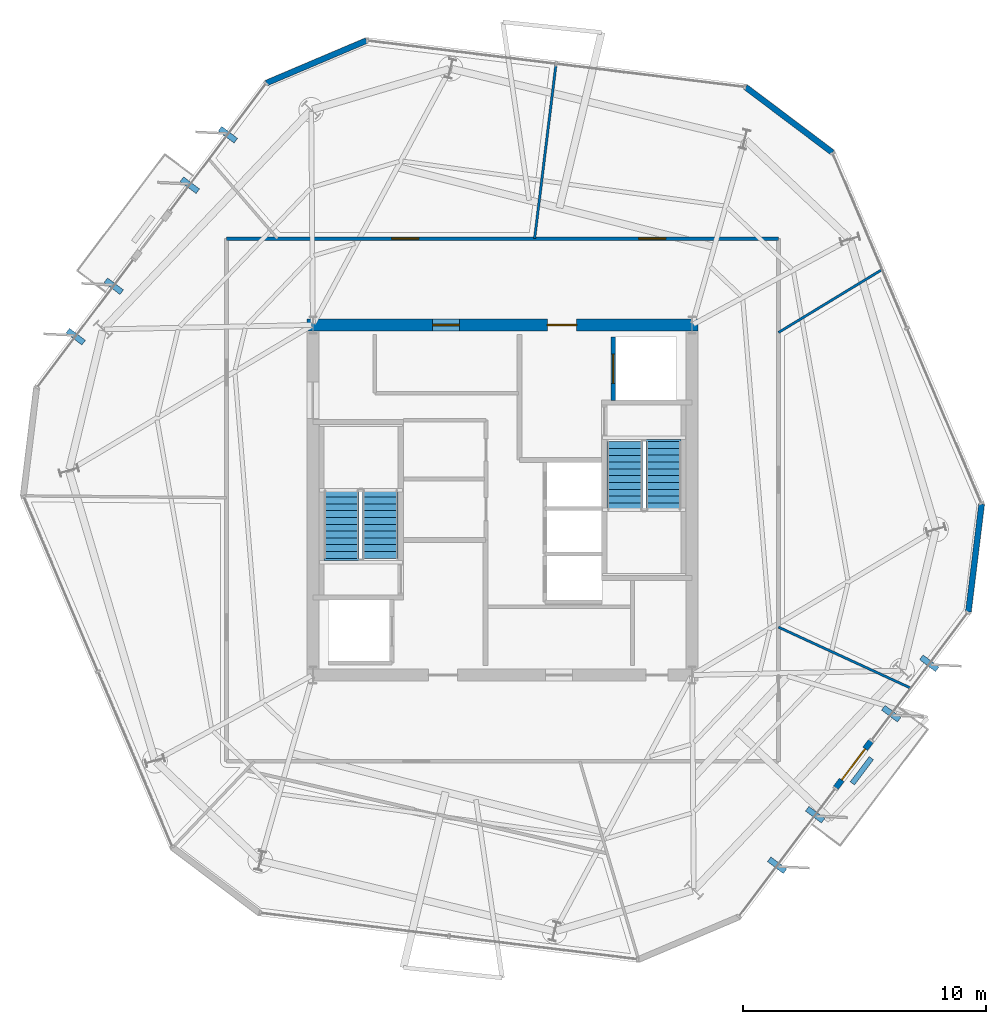
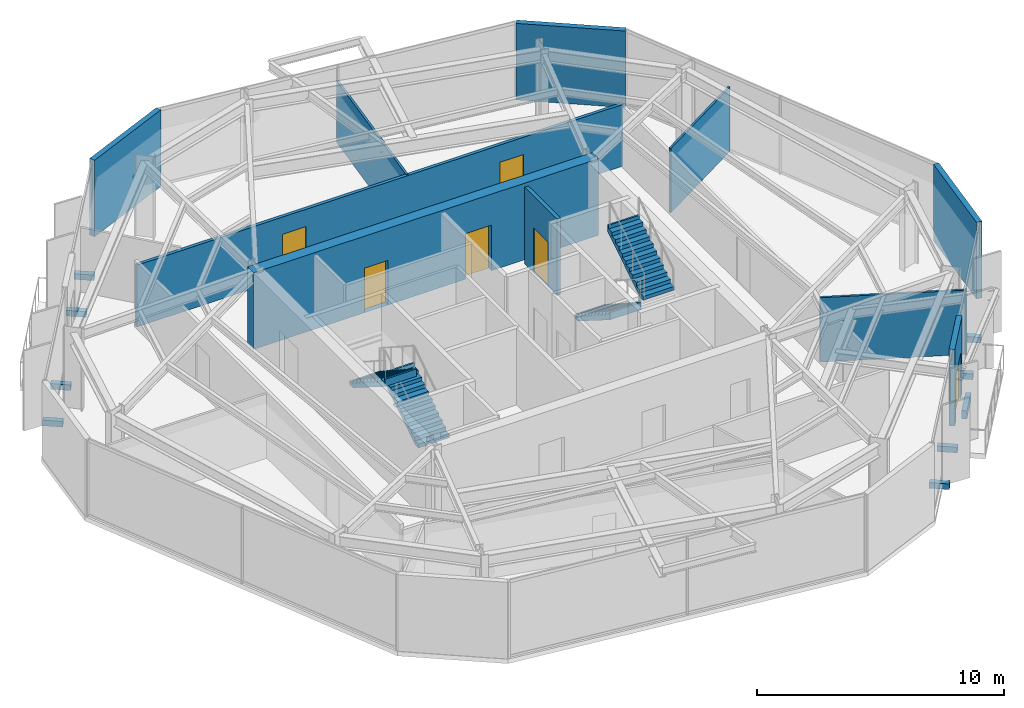
# One storey, part 9 of 12: 11 walls, 8 discrete accessories, 6 doors, 4 stair flights, 6 openings, 2 elements without a shape of their own.
"""IFC4 building model written with IfcOpenShell, lengths in metres."""

from ifc_helpers import new_model, si_unit, direction, frame, frame_2d, origin, origin_2d, place, context, subcontext, project, spatial, polyline, rectangle, outline, extrude, material, layer, layer_set, type_object, element, fill, aggregate, save


model = new_model("IFC4")

# Units and contexts
model_context = context("Model", 3, precision=1e-05, world=origin(), true_north=direction((0.0, 1.0)))
body_context = subcontext(model_context, "Body", "Model", "MODEL_VIEW")
ifc_project = project(units=[si_unit("LENGTHUNIT", "METRE"), si_unit("AREAUNIT", "SQUARE_METRE"), si_unit("VOLUMEUNIT", "CUBIC_METRE"), si_unit("PLANEANGLEUNIT", "RADIAN"), si_unit("MASSUNIT", "GRAM", prefix="KILO")], contexts=[model_context])

# Site, building, storey
site_placement = place(None, origin())
site = spatial("IfcSite", under=ifc_project, at=site_placement, CompositionType="ELEMENT")
building_placement = place(site_placement, origin())
building = spatial("IfcBuilding", under=site, at=building_placement, Name="Kranzbogen Civic Tower", CompositionType="ELEMENT")
storey_placement = place(building_placement, frame((0.0, 0.0, 236.800048828125)))
storey = spatial("IfcBuildingStorey", under=building, at=storey_placement, Name="L57", CompositionType="ELEMENT", Elevation=236.800048828125)

# Wall, openings, doors
ifc_material_1 = material(Name="Double-Stud Acoustic Gypsum Partition")
ifc_layer_1 = layer(ifc_material_1, 0.14990234375, Name="Double-Stud Acoustic Gypsum Partition")
ifc_layer_set_1 = layer_set([ifc_layer_1], Name="Double-Stud Acoustic Gypsum Partition")
wall_type_1 = type_object("IfcWallType", Name="Acoustic Corridor and Clinical Partition 150 mm", PredefinedType="PARTITIONING", material=ifc_layer_set_1)
wall_1_placement = place(storey_placement, frame((13.64990234375, 35.75, 0.0), z_axis=(0.0, 0.0, 1.0), x_axis=(1.0, 0.0, 0.0)))
wall_1 = element("IfcWall", 1, at=wall_1_placement, inside=storey, type_object=wall_type_1, Name="L57 corridor partition 01", PredefinedType="PARTITIONING", context=body_context, shape_type="SweptSolid", body=[
    extrude(rectangle(XDim=22.7001953125, YDim=0.14990234375, at=frame_2d((11.35009765625, 0.0))), origin(), (0.0, 0.0, 1.0), 3.050048828125),
])
opening_1_placement = place(wall_1_placement, frame((16.9560546875, 0.0, 0.0)))
opening_1 = element("IfcOpeningElement", 2, at=opening_1_placement, cuts=wall_1, Name="Opening D-COR60", PredefinedType="OPENING", context=body_context, shape_type="SweptSolid", body=[
    extrude(rectangle(XDim=1.10009765625, YDim=2.199951171875, at=frame_2d((0.550048828125, 1.10009765625))), frame((0.0, 0.0849609375, 0.0), z_axis=(0.0, -1.0, 0.0), x_axis=(1.0, 0.0, 0.0)), (0.0, 0.0, 1.0), 0.169921875),
])
opening_2_placement = place(wall_1_placement, frame((6.7958984375, 0.0, 0.0)))
opening_2 = element("IfcOpeningElement", 3, at=opening_2_placement, cuts=wall_1, Name="Opening D-COR60", PredefinedType="OPENING", context=body_context, shape_type="SweptSolid", body=[
    extrude(rectangle(XDim=1.10009765625, YDim=2.199951171875, at=frame_2d((0.550048828125, 1.10009765625))), frame((0.0, 0.0849609375, 0.0), z_axis=(0.0, -1.0, 0.0), x_axis=(1.0, 0.0, 0.0)), (0.0, 0.0, 1.0), 0.169921875),
])
ifc_material_2 = material(Name="Oak Timber and Fire Core", Category="wood")
door_type_1 = type_object("IfcDoorType", Name="Corridor Acoustic Fire Door 1100x2200", OperationType="NOTDEFINED", PredefinedType="DOOR", material=ifc_material_2)
door_1_placement = place(opening_1_placement, origin())
door_1 = element("IfcDoor", 4, at=door_1_placement, inside=storey, type_object=door_type_1, Name="L57 Duty Crew Control Room door", OperationType="SINGLE_SWING_RIGHT", OverallHeight=2.199951171875, OverallWidth=1.10009765625, PredefinedType="DOOR", context=body_context, shape_type="SweptSolid", body=[
    extrude(rectangle(XDim=1.10009765625, YDim=2.199951171875, at=frame_2d((0.550048828125, 1.10009765625))), frame((0.0, 0.02490234375, 0.0), z_axis=(0.0, -1.0, 0.0), x_axis=(1.0, 0.0, 0.0)), (0.0, 0.0, 1.0), 0.050048828125),
])
fill(opening_1, door_1)
door_2_placement = place(opening_2_placement, origin())
door_2 = element("IfcDoor", 5, at=door_2_placement, inside=storey, type_object=door_type_1, Name="L57 Staff Tea Pantry door", OperationType="SINGLE_SWING_LEFT", OverallHeight=2.199951171875, OverallWidth=1.10009765625, PredefinedType="DOOR", context=body_context, shape_type="SweptSolid", body=[
    extrude(rectangle(XDim=1.10009765625, YDim=2.199951171875, at=frame_2d((0.550048828125, 1.10009765625))), frame((0.0, 0.02490234375, 0.0), z_axis=(0.0, -1.0, 0.0), x_axis=(1.0, 0.0, 0.0)), (0.0, 0.0, 1.0), 0.050048828125),
])
fill(opening_2, door_2)

# Wall
ifc_material_3 = material(Name="Architectural Precast Terracotta Concrete C40/50", Category="masonry")
ifc_layer_2 = layer(ifc_material_3, 0.219970703125, Name="Architectural Precast Terracotta Concrete C40/50")
ifc_layer_set_2 = layer_set([ifc_layer_2], Name="Architectural Precast Terracotta Concrete C40/50")
wall_type_2 = type_object("IfcWallType", Name="Architectural Tree Planter Kerb Wall 220 mm", PredefinedType="USERDEFINED", material=ifc_layer_set_2)
wall_2_placement = place(storey_placement, frame((39.387939453125, 13.344970703125, 0.0), z_axis=(0.0, 0.0, 1.0), x_axis=(0.601681803176, 0.798735881081, 0.0)))
element("IfcWall", 6, at=wall_2_placement, inside=storey, type_object=wall_type_2, Name="L57 landscaped tree balcony planter L57-TB2", ObjectType="PLANTER_WALL", PredefinedType="USERDEFINED", context=body_context, shape_type="SweptSolid", body=[
    extrude(rectangle(XDim=1.299560546875, YDim=0.219970703125, at=frame_2d((0.64990234375, 0.0))), origin(), (0.0, 0.0, 1.0), 0.39990234375),
])

# Wall, openings, doors
ifc_material_4 = material(Name="Concrete C45/55", Category="concrete")
ifc_layer_3 = layer(ifc_material_4, 0.5, Name="Concrete C45/55")
ifc_layer_set_3 = layer_set([ifc_layer_3], Name="Concrete C45/55")
wall_type_3 = type_object("IfcWallType", Name="Central Core Shear Wall 500 mm", PredefinedType="SHEAR", material=ifc_layer_set_3)
wall_3_placement = place(storey_placement, frame((33.050048828125, 32.199951171875, 0.0), z_axis=(0.0, 0.0, 1.0), x_axis=(-1.0, 0.0, 0.0)))
wall_3 = element("IfcWall", 7, at=wall_3_placement, inside=storey, type_object=wall_type_3, Name="L57 central core North shear wall", PredefinedType="SHEAR", context=body_context, shape_type="SweptSolid", body=[
    extrude(rectangle(XDim=16.10009765625, YDim=0.5, at=frame_2d((8.050048828125, 0.0))), origin(), (0.0, 0.0, 1.0), 3.780029296875),
])
opening_3_placement = place(wall_3_placement, frame((5.0, 0.0, 0.0)))
opening_3 = element("IfcOpeningElement", 8, at=opening_3_placement, cuts=wall_3, Name="Opening D-EX120", PredefinedType="OPENING", context=body_context, shape_type="SweptSolid", body=[
    extrude(rectangle(XDim=1.199951171875, YDim=2.25, at=frame_2d((0.60009765625, 1.125))), frame((0.0, 0.260009765625, 0.0), z_axis=(0.0, -1.0, 0.0), x_axis=(1.0, 0.0, 0.0)), (0.0, 0.0, 1.0), 0.52001953125),
])
opening_4_placement = place(wall_3_placement, frame((9.824951171875, 0.0, 0.0)))
opening_4 = element("IfcOpeningElement", 9, at=opening_4_placement, cuts=wall_3, Name="Opening D-COR60", PredefinedType="OPENING", context=body_context, shape_type="SweptSolid", body=[
    extrude(rectangle(XDim=1.10009765625, YDim=2.199951171875, at=frame_2d((0.550048828125, 1.10009765625))), frame((0.0, 0.260009765625, 0.0), z_axis=(0.0, -1.0, 0.0), x_axis=(1.0, 0.0, 0.0)), (0.0, 0.0, 1.0), 0.52001953125),
])
door_3_placement = place(opening_4_placement, origin())
door_3 = element("IfcDoor", 10, at=door_3_placement, inside=storey, type_object=door_type_1, Name="L57 DAT1 comms room door", OperationType="SINGLE_SWING_RIGHT", OverallHeight=2.199951171875, OverallWidth=1.10009765625, PredefinedType="DOOR", context=body_context, shape_type="SweptSolid", body=[
    extrude(rectangle(XDim=1.10009765625, YDim=2.199951171875, at=frame_2d((0.550048828125, 1.10009765625))), frame((0.0, 0.02490234375, 0.0), z_axis=(0.0, -1.0, 0.0), x_axis=(1.0, 0.0, 0.0)), (0.0, 0.0, 1.0), 0.050048828125),
])
fill(opening_4, door_3)
ifc_material_5 = material(Name="Steel S355", Category="steel")
door_type_2 = type_object("IfcDoorType", Name="Exit Passageway Fire Door 1200x2250", OperationType="NOTDEFINED", PredefinedType="DOOR", material=ifc_material_5)
door_4_placement = place(opening_3_placement, origin())
door_4 = element("IfcDoor", 11, at=door_4_placement, inside=storey, type_object=door_type_2, Name="L57 East firefighting lobby corridor door", OperationType="SINGLE_SWING_LEFT", OverallHeight=2.25, OverallWidth=1.199951171875, PredefinedType="DOOR", context=body_context, shape_type="SweptSolid", body=[
    extrude(rectangle(XDim=1.199951171875, YDim=2.25, at=frame_2d((0.60009765625, 1.125))), frame((0.0, 0.02490234375, 0.0), z_axis=(0.0, -1.0, 0.0), x_axis=(1.0, 0.0, 0.0)), (0.0, 0.0, 1.0), 0.050048828125),
])
fill(opening_3, door_4)

# Walls
ifc_material_6 = material(Name="Demountable Aluminium and Gypsum Partition", Category="aluminium")
ifc_layer_4 = layer(ifc_material_6, 0.10009765625, Name="Demountable Aluminium and Gypsum Partition")
ifc_layer_set_4 = layer_set([ifc_layer_4], Name="Demountable Aluminium and Gypsum Partition")
wall_type_4 = type_object("IfcWallType", Name="Demountable Office Partition 100 mm", PredefinedType="MOVABLE", material=ifc_layer_set_4)
wall_4_placement = place(storey_placement, frame((26.320068359375, 35.75, 0.0), z_axis=(0.0, 0.0, 1.0), x_axis=(0.121804850919, 0.992554068196, 0.0)))
element("IfcWall", 12, at=wall_4_placement, inside=storey, type_object=wall_type_4, Name="L57 radial room partition 01", PredefinedType="MOVABLE", context=body_context, shape_type="SweptSolid", body=[
    extrude(rectangle(XDim=7.2236328125, YDim=0.10009765625, at=frame_2d((3.61181640625, 0.0))), origin(), (0.0, 0.0, 1.0), 3.050048828125),
])
wall_5_placement = place(storey_placement, frame((36.35009765625, 19.77001953125, 0.0), z_axis=(0.0, 0.0, 1.0), x_axis=(0.90822453429, -0.418483207923, 0.0)))
element("IfcWall", 13, at=wall_5_placement, inside=storey, type_object=wall_type_4, Name="L57 radial room partition 06", PredefinedType="MOVABLE", context=body_context, shape_type="SweptSolid", body=[
    extrude(rectangle(XDim=5.978515625, YDim=0.10009765625, at=frame_2d((2.9892578125, 0.0))), origin(), (0.0, 0.0, 1.0), 3.179931640625),
])
wall_6_placement = place(storey_placement, frame((36.35009765625, 31.888916015625, 0.0), z_axis=(0.0, 0.0, 1.0), x_axis=(0.854761817099, 0.5190204582, 0.0)))
element("IfcWall", 14, at=wall_6_placement, inside=storey, type_object=wall_type_4, Name="L57 radial room partition 07", PredefinedType="MOVABLE", context=body_context, shape_type="SweptSolid", body=[
    extrude(rectangle(XDim=4.96728515625, YDim=0.10009765625, at=frame_2d((2.483642578125, 0.0))), origin(), (0.0, 0.0, 1.0), 3.179931640625),
])

# Wall, opening, door
ifc_material_7 = material(Name="Gypsum Fireboard Shaftliner")
ifc_layer_5 = layer(ifc_material_7, 0.175048828125, Name="Gypsum Fireboard Shaftliner")
ifc_layer_set_5 = layer_set([ifc_layer_5], Name="Gypsum Fireboard Shaftliner")
wall_type_5 = type_object("IfcWallType", Name="Fire-Rated Lift and Service Shaft Wall 175 mm", PredefinedType="PARTITIONING", material=ifc_layer_set_5)
wall_7_placement = place(storey_placement, frame((29.550048828125, 29.10009765625, 0.0), z_axis=(0.0, 0.0, 1.0), x_axis=(0.0, 1.0, 0.0)))
wall_7 = element("IfcWall", 15, at=wall_7_placement, inside=storey, type_object=wall_type_5, Name="L57 lift FF-02 landing wall", PredefinedType="PARTITIONING", context=body_context, shape_type="SweptSolid", body=[
    extrude(rectangle(XDim=2.599853515625, YDim=0.175048828125, at=frame_2d((1.2998046875, 0.0))), origin(), (0.0, 0.0, 1.0), 3.780029296875),
])
opening_5_placement = place(wall_7_placement, frame((0.699951171875, 0.0, 0.0)))
opening_5 = element("IfcOpeningElement", 16, at=opening_5_placement, cuts=wall_7, Name="Opening LD-FF-02", PredefinedType="OPENING", context=body_context, shape_type="SweptSolid", body=[
    extrude(rectangle(XDim=1.199951171875, YDim=2.199951171875, at=frame_2d((0.60009765625, 1.10009765625))), frame((0.0, 0.09765625, 0.0), z_axis=(0.0, -1.0, 0.0), x_axis=(1.0, 0.0, 0.0)), (0.0, 0.0, 1.0), 0.195068359375),
])
ifc_material_8 = material(Name="Pale Anodised Aluminium", Category="aluminium")
door_type_3 = type_object("IfcDoorType", Name="Firefighting and Stretcher Lift Sliding Landing Door 1200x2200", OperationType="DOUBLE_DOOR_SLIDING", PredefinedType="DOOR", material=ifc_material_8)
door_5_placement = place(opening_5_placement, origin())
door_5 = element("IfcDoor", 17, at=door_5_placement, inside=storey, type_object=door_type_3, Name="L57 lift FF-02 sliding landing door", OperationType="DOUBLE_DOOR_SLIDING", OverallHeight=2.199951171875, OverallWidth=1.199951171875, PredefinedType="DOOR", context=body_context, shape_type="SweptSolid", body=[
    extrude(rectangle(XDim=1.199951171875, YDim=2.199951171875, at=frame_2d((0.60009765625, 1.10009765625))), frame((0.0, 0.02490234375, 0.0), z_axis=(0.0, -1.0, 0.0), x_axis=(1.0, 0.0, 0.0)), (0.0, 0.0, 1.0), 0.050048828125),
])
fill(opening_5, door_5)

# Wall
ifc_layer_6 = layer(ifc_material_8, 0.239990234375, Name="Pale Anodised Aluminium")
ifc_layer_set_6 = layer_set([ifc_layer_6], Name="Pale Anodised Aluminium")
wall_type_6 = type_object("IfcWallType", Name="Insulated Aluminium Facade Portal Wall 240 mm", PredefinedType="STANDARD", material=ifc_layer_set_6)
wall_8_placement = place(storey_placement, frame((19.406982421875, 43.89404296875, 0.0), z_axis=(0.0, 0.0, 1.0), x_axis=(-0.92048770115, -0.390771534316, 0.0)))
element("IfcWall", 18, at=wall_8_placement, inside=storey, type_object=wall_type_6, Name="L57 chamfered corner facade spandrel 1", PredefinedType="STANDARD", context=body_context, shape_type="SweptSolid", body=[
    extrude(rectangle(XDim=4.46826171875, YDim=0.239990234375, at=frame_2d((2.234130859375, 0.0))), origin(), (0.0, 0.0, 1.0), 3.780029296875),
])

# Wall, opening, door
wall_9_placement = place(storey_placement, frame((38.7099609375, 13.166015625, 0.0), z_axis=(0.0, 0.0, 1.0), x_axis=(0.601950815561, 0.798533165025, 0.0)))
wall_9 = element("IfcWall", 19, at=wall_9_placement, inside=storey, type_object=wall_type_6, Name="L57 exterior entrance portal wall 1", PredefinedType="STANDARD", context=body_context, shape_type="SweptSolid", body=[
    extrude(rectangle(XDim=2.400634765625, YDim=0.239990234375, at=frame_2d((1.2001953125, 0.0))), origin(), (0.0, 0.0, 1.0), 3.780029296875),
])
opening_6_placement = place(wall_9_placement, frame((0.39990234375, 0.0, 0.0)))
opening_6 = element("IfcOpeningElement", 20, at=opening_6_placement, cuts=wall_9, Name="Opening D-TER", PredefinedType="OPENING", context=body_context, shape_type="SweptSolid", body=[
    extrude(rectangle(XDim=1.60009765625, YDim=2.25, at=frame_2d((0.800048828125, 1.125))), frame((0.0, 0.1298828125, 0.0), z_axis=(0.0, -1.0, 0.0), x_axis=(1.0, 0.0, 0.0)), (0.0, 0.0, 1.0), 0.260009765625),
])
ifc_material_9 = material(Name="Anodised Bronze and Triple Glass", Category="glass")
door_type_4 = type_object("IfcDoorType", Name="Glazed Terrace and Balcony Double Door 1600x2250", OperationType="DOUBLE_DOOR_SINGLE_SWING", PredefinedType="DOOR", material=ifc_material_9)
door_6_placement = place(opening_6_placement, frame((1.60009765625, 0.0, 0.0), z_axis=(0.0, 0.0, 1.0), x_axis=(-1.0, 0.0, 0.0)))
door_6 = element("IfcDoor", 21, at=door_6_placement, inside=storey, type_object=door_type_4, Name="L57 tree balcony access door L57-TB2", OperationType="DOUBLE_DOOR_SINGLE_SWING", OverallHeight=2.25, OverallWidth=1.60009765625, PredefinedType="DOOR", context=body_context, shape_type="SweptSolid", body=[
    extrude(rectangle(XDim=1.60009765625, YDim=2.25, at=frame_2d((0.800048828125, 1.125))), frame((0.0, 0.02490234375, 0.0), z_axis=(0.0, -1.0, 0.0), x_axis=(1.0, 0.0, 0.0)), (0.0, 0.0, 1.0), 0.050048828125),
])
fill(opening_6, door_6)

# Walls
wall_10_placement = place(storey_placement, frame((44.158935546875, 20.39697265625, 0.0), z_axis=(0.0, 0.0, 1.0), x_axis=(0.122030142036, 0.99252639483, 0.0)))
element("IfcWall", 22, at=wall_10_placement, inside=storey, type_object=wall_type_6, Name="L57 chamfered corner facade spandrel 5", PredefinedType="STANDARD", context=body_context, shape_type="SweptSolid", body=[
    extrude(rectangle(XDim=4.467529296875, YDim=0.239990234375, at=frame_2d((2.23388671875, 0.0))), origin(), (0.0, 0.0, 1.0), 3.780029296875),
])
wall_11_placement = place(storey_placement, frame((38.56689453125, 39.2900390625, 0.0), z_axis=(0.0, 0.0, 1.0), x_axis=(-0.798673666817, 0.601764384069, 0.0)))
element("IfcWall", 23, at=wall_11_placement, inside=storey, type_object=wall_type_6, Name="L57 chamfered corner facade spandrel 6", PredefinedType="STANDARD", context=body_context, shape_type="SweptSolid", body=[
    extrude(rectangle(XDim=4.468505859375, YDim=0.239990234375, at=frame_2d((2.234375, 0.0))), origin(), (0.0, 0.0, 1.0), 3.780029296875),
])

# Stair, stair flights
ifc_material_10 = material(Name="Precast concrete C40/50", Category="concrete")
stair_type_1 = type_object("IfcStairType", Name="Tower Core Pressurized Dogleg Stair 1450", PredefinedType="HALF_TURN_STAIR", material=ifc_material_10)
stair_1_placement = place(storey_placement, origin())
stair_1 = element("IfcStair", 24, at=stair_1_placement, inside=storey, type_object=stair_type_1, Name="L57 Tower Core Pressurized Stair 1", PredefinedType="HALF_TURN_STAIR")
stair_flight_type = type_object("IfcStairFlightType", Name="Precast Concrete Stair Flight R180", PredefinedType="STRAIGHT", material=ifc_material_10)
stair_flight_1_placement = place(storey_placement, frame((19.97509765625, 22.60009765625, 0.0), z_axis=(0.0, 0.0, 1.0), x_axis=(0.0, 1.0, 0.0)))
stair_flight_1 = element("IfcStairFlight", 25, at=stair_flight_1_placement, type_object=stair_flight_type, Name="ST-T1 flight 1", NumberOfRisers=11, NumberOfTreads=10, PredefinedType="STRAIGHT", RiserHeight=0.181818182, TreadLength=0.28, context=body_context, shape_type="SweptSolid", body=[
    extrude(outline(polyline([(0.0, 0.0), (0.0, 0.181884765625), (0.280029296875, 0.181884765625), (0.280029296875, 0.363525390625), (0.56005859375, 0.363525390625), (0.56005859375, 0.54541015625), (0.840087890625, 0.54541015625), (0.840087890625, 0.727294921875), (1.1201171875, 0.727294921875), (1.1201171875, 0.9091796875), (1.39990234375, 0.9091796875), (1.39990234375, 1.0908203125), (1.679931640625, 1.0908203125), (1.679931640625, 1.272705078125), (1.9599609375, 1.272705078125), (1.9599609375, 1.45458984375), (2.239990234375, 1.45458984375), (2.239990234375, 1.636474609375), (2.52001953125, 1.636474609375), (2.52001953125, 1.818115234375), (2.800048828125, 1.818115234375), (2.800048828125, 2.0), (2.880126953125, 2.0), (2.880126953125, 1.639404296875), (0.275146484375, 0.0), (0.0, 0.0)])), frame((0.0, 0.72509765625, 0.0), z_axis=(0.0, -1.0, 0.0), x_axis=(1.0, 0.0, 0.0)), (0.0, 0.0, 1.0), 1.449951171875),
])
stair_flight_2_placement = place(storey_placement, frame((18.375, 25.39990234375, 2.0), z_axis=(0.0, 0.0, 1.0), x_axis=(0.0, -1.0, 0.0)))
stair_flight_2 = element("IfcStairFlight", 26, at=stair_flight_2_placement, type_object=stair_flight_type, Name="ST-T1 flight 2", NumberOfRisers=11, NumberOfTreads=10, PredefinedType="STRAIGHT", RiserHeight=0.181818182, TreadLength=0.28, context=body_context, shape_type="SweptSolid", body=[
    extrude(outline(polyline([(0.0, 0.0), (0.0, 0.181884765625), (0.280029296875, 0.181884765625), (0.280029296875, 0.363525390625), (0.56005859375, 0.363525390625), (0.56005859375, 0.54541015625), (0.840087890625, 0.54541015625), (0.840087890625, 0.727294921875), (1.1201171875, 0.727294921875), (1.1201171875, 0.9091796875), (1.39990234375, 0.9091796875), (1.39990234375, 1.0908203125), (1.679931640625, 1.0908203125), (1.679931640625, 1.272705078125), (1.9599609375, 1.272705078125), (1.9599609375, 1.45458984375), (2.239990234375, 1.45458984375), (2.239990234375, 1.636474609375), (2.52001953125, 1.636474609375), (2.52001953125, 1.818115234375), (2.800048828125, 1.818115234375), (2.800048828125, 2.0), (2.880126953125, 2.0), (2.880126953125, 1.639404296875), (0.275146484375, 0.0), (0.0, 0.0)])), frame((0.0, 0.72509765625, 0.0), z_axis=(0.0, -1.0, 0.0), x_axis=(1.0, 0.0, 0.0)), (0.0, 0.0, 1.0), 1.449951171875),
])
aggregate(stair_1, [stair_flight_1, stair_flight_2])

stair_type_2 = type_object("IfcStairType", Name="Tower Core Secondary Dogleg Stair 1450", PredefinedType="HALF_TURN_STAIR", material=ifc_material_10)
stair_2_placement = place(storey_placement, origin())
stair_2 = element("IfcStair", 27, at=stair_2_placement, inside=storey, type_object=stair_type_2, Name="L57 Tower Core Pressurized Stair 2", PredefinedType="HALF_TURN_STAIR")
stair_flight_3_placement = place(storey_placement, frame((30.02490234375, 27.39990234375, 0.0), z_axis=(0.0, 0.0, 1.0), x_axis=(0.0, -1.0, 0.0)))
stair_flight_3 = element("IfcStairFlight", 28, at=stair_flight_3_placement, type_object=stair_flight_type, Name="ST-T2 flight 1", NumberOfRisers=11, NumberOfTreads=10, PredefinedType="STRAIGHT", RiserHeight=0.181818182, TreadLength=0.28, context=body_context, shape_type="SweptSolid", body=[
    extrude(outline(polyline([(0.0, 0.0), (0.0, 0.181884765625), (0.280029296875, 0.181884765625), (0.280029296875, 0.363525390625), (0.56005859375, 0.363525390625), (0.56005859375, 0.54541015625), (0.840087890625, 0.54541015625), (0.840087890625, 0.727294921875), (1.1201171875, 0.727294921875), (1.1201171875, 0.9091796875), (1.39990234375, 0.9091796875), (1.39990234375, 1.0908203125), (1.679931640625, 1.0908203125), (1.679931640625, 1.272705078125), (1.9599609375, 1.272705078125), (1.9599609375, 1.45458984375), (2.239990234375, 1.45458984375), (2.239990234375, 1.636474609375), (2.52001953125, 1.636474609375), (2.52001953125, 1.818115234375), (2.800048828125, 1.818115234375), (2.800048828125, 2.0), (2.880126953125, 2.0), (2.880126953125, 1.639404296875), (0.275146484375, 0.0), (0.0, 0.0)])), frame((0.0, 0.72509765625, 0.0), z_axis=(0.0, -1.0, 0.0), x_axis=(1.0, 0.0, 0.0)), (0.0, 0.0, 1.0), 1.449951171875),
])
stair_flight_4_placement = place(storey_placement, frame((31.625, 24.60009765625, 2.0), z_axis=(0.0, 0.0, 1.0), x_axis=(0.0, 1.0, 0.0)))
stair_flight_4 = element("IfcStairFlight", 29, at=stair_flight_4_placement, type_object=stair_flight_type, Name="ST-T2 flight 2", NumberOfRisers=11, NumberOfTreads=10, PredefinedType="STRAIGHT", RiserHeight=0.181818182, TreadLength=0.28, context=body_context, shape_type="SweptSolid", body=[
    extrude(outline(polyline([(0.0, 0.0), (0.0, 0.181884765625), (0.280029296875, 0.181884765625), (0.280029296875, 0.363525390625), (0.56005859375, 0.363525390625), (0.56005859375, 0.54541015625), (0.840087890625, 0.54541015625), (0.840087890625, 0.727294921875), (1.1201171875, 0.727294921875), (1.1201171875, 0.9091796875), (1.39990234375, 0.9091796875), (1.39990234375, 1.0908203125), (1.679931640625, 1.0908203125), (1.679931640625, 1.272705078125), (1.9599609375, 1.272705078125), (1.9599609375, 1.45458984375), (2.239990234375, 1.45458984375), (2.239990234375, 1.636474609375), (2.52001953125, 1.636474609375), (2.52001953125, 1.818115234375), (2.800048828125, 1.818115234375), (2.800048828125, 2.0), (2.880126953125, 2.0), (2.880126953125, 1.639404296875), (0.275146484375, 0.0), (0.0, 0.0)])), frame((0.0, 0.72509765625, 0.0), z_axis=(0.0, -1.0, 0.0), x_axis=(1.0, 0.0, 0.0)), (0.0, 0.0, 1.0), 1.449951171875),
])
aggregate(stair_2, [stair_flight_3, stair_flight_4])

# Discrete accessories
discrete_accessory_type = type_object("IfcDiscreteAccessoryType", Name="Structural Curtain-Wall Fin Support Bracket", PredefinedType="BRACKET", material=ifc_material_5)
for number, where, z_axis, x_axis, name in (
    (30, (13.7060546875, 40.02197265625, -0.25), (0.0, 0.0, 1.0), (-0.798635510047, 0.601815023152, 0.0), "L57 facade fin support bracket F2-1"),
    (31, (12.14111328125, 37.945068359375, -0.25), (0.0, 0.0, 1.0), (-0.798635510047, 0.601815023152, 0.0), "L57 facade fin support bracket F2-2"),
    (32, (9.011962890625, 33.7919921875, -0.25), (0.0, 0.0, 1.0), (-0.798635510047, 0.601815023152, 0.0), "L57 facade fin support bracket F2-4"),
    (33, (7.447021484375, 31.716064453125, -0.25), (0.0, 0.0, 1.0), (-0.798635510047, 0.601815023152, 0.0), "L57 facade fin support bracket F2-5"),
    (34, (36.2939453125, 9.97802734375, -0.25), (0.0, 0.0, 1.0), (0.798635510047, -0.601815023152, 0.0), "L57 facade fin support bracket F5-1"),
    (35, (37.85888671875, 12.054931640625, -0.25), (0.0, 0.0, 1.0), (0.798635510047, -0.601815023152, 0.0), "L57 facade fin support bracket F5-2"),
    (36, (40.988037109375, 16.2080078125, -0.25), (0.0, 0.0, 1.0), (0.798635510047, -0.601815023152, 0.0), "L57 facade fin support bracket F5-4"),
    (37, (42.552978515625, 18.283935546875, -0.25), (0.0, 0.0, 1.0), (0.798635510047, -0.601815023152, 0.0), "L57 facade fin support bracket F5-5"),
):
    element("IfcDiscreteAccessory", number, at=place(storey_placement, frame(where, z_axis=z_axis, x_axis=x_axis)), inside=storey, type_object=discrete_accessory_type, Name=name, PredefinedType="BRACKET", context=body_context, shape_type="SweptSolid", body=[
        extrude(rectangle(XDim=0.820068359375, YDim=0.239990234375, at=origin_2d()), origin(), (0.0, 0.0, 1.0), 0.280029296875),
    ])

save(model, "model.ifc")
